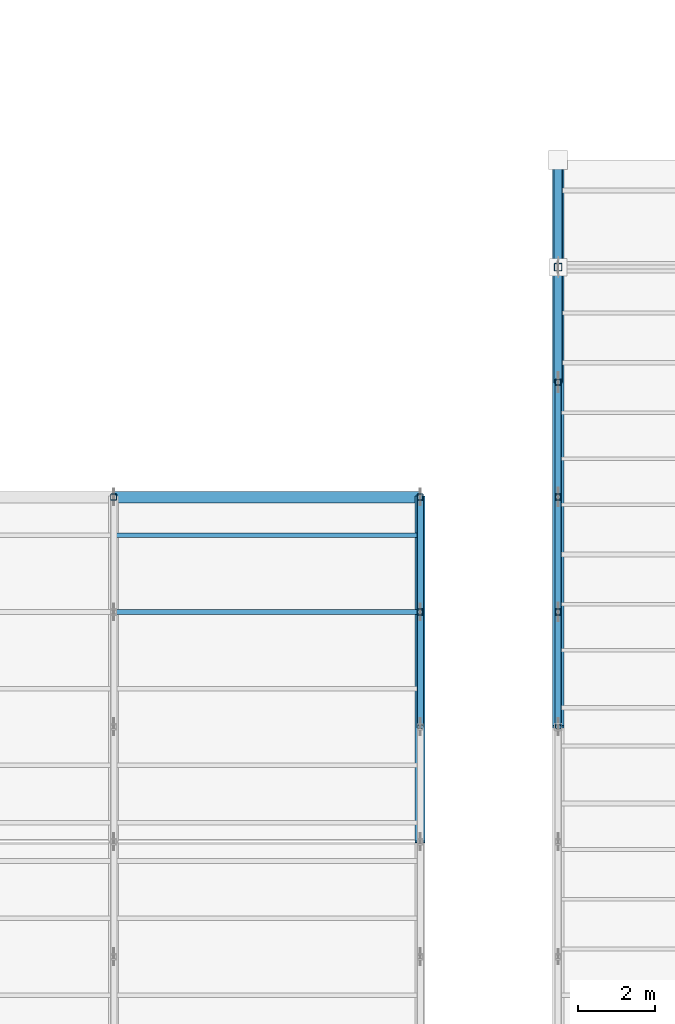
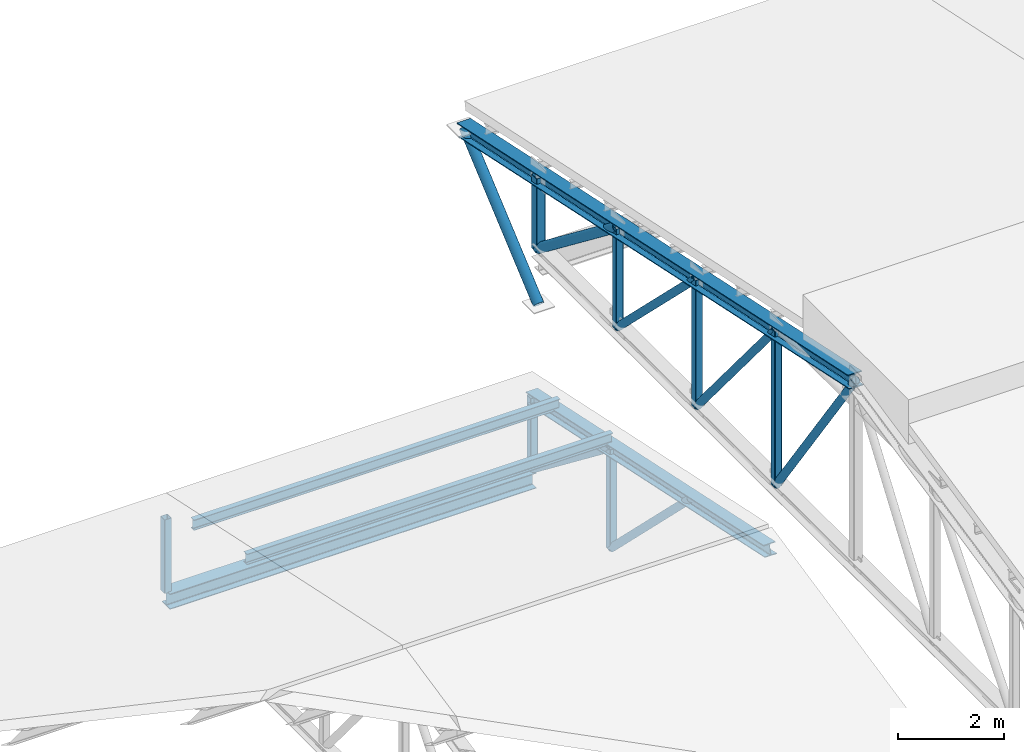
# One storey, part 5 of 43: 18 members, 1 beam.
"""IFC4 building model written with IfcOpenShell, lengths in metres."""

from ifc_helpers import new_model, si_unit, direction, frame, origin, origin_2d, place, context, subcontext, project, spatial, hollow_rectangle, hollow_circle, i_section, extrude, material, material_profile, profile_set, type_object, element, save


model = new_model("IFC4")

# Units and contexts
model_context = context("Model", 3, precision=1e-05, world=origin(), true_north=direction((0.0, 1.0)))
body_context = subcontext(model_context, "Body", "Model", "MODEL_VIEW")
ifc_project = project(units=[si_unit("LENGTHUNIT", "METRE"), si_unit("AREAUNIT", "SQUARE_METRE"), si_unit("VOLUMEUNIT", "CUBIC_METRE"), si_unit("PLANEANGLEUNIT", "RADIAN"), si_unit("MASSUNIT", "GRAM", prefix="KILO")], contexts=[model_context])

# Site, building, storey
site_placement = place(None, origin())
site = spatial("IfcSite", under=ifc_project, at=site_placement, CompositionType="ELEMENT")
building_placement = place(site_placement, origin())
building = spatial("IfcBuilding", under=site, at=building_placement, Name="Serraforn Aerial Cableway Station", CompositionType="ELEMENT")
storey_placement = place(building_placement, frame((0.0, 0.0, 18.300048828125)))
storey = spatial("IfcBuildingStorey", under=building, at=storey_placement, Name="RF", CompositionType="ELEMENT", Elevation=18.300048828125)

# Beam
ifc_material_1 = material(Name="Steel S355JR", Category="steel")
ifc_material_profile_1 = material_profile(ifc_material_1, i_section(OverallWidth=0.300048828125, OverallDepth=0.360107421875, WebThickness=0.010009765625, FlangeThickness=0.017578125, FilletRadius=0.027099609375, at=origin_2d()), Name="HEA 360")
ifc_profile_set_1 = profile_set([ifc_material_profile_1], Name="Steel S355JR")
beam_type = type_object("IfcBeamType", Name="BM-ST-HEA360", PredefinedType="BEAM", material=ifc_profile_set_1)
beam_placement = place(storey_placement, frame((16.0, 36.0, -1.72998046875), z_axis=(1.0, 0.0, 0.0), x_axis=(0.0, 1.0, 0.0)))
element("IfcBeam", 1, at=beam_placement, inside=storey, type_object=beam_type, Name="Belvedere Eave Girder N-3", PredefinedType="BEAM", context=body_context, shape_type="SweptSolid", body=[
    extrude(i_section(OverallWidth=0.300048828125, OverallDepth=0.360107421875, WebThickness=0.010009765625, FlangeThickness=0.017578125, FilletRadius=0.027099609375, at=origin_2d()), origin(), (0.0, 0.0, 1.0), 8.0),
])

# Members
ifc_material_2 = material(Name="Steel S355J2", Category="steel")
ifc_material_profile_2 = material_profile(ifc_material_2, hollow_circle(Radius=0.084228515625, WallThickness=0.008056640625, at=origin_2d()), Name="CHS 168.3x8.0")
ifc_profile_set_2 = profile_set([ifc_material_profile_2], Name="Steel S355J2")
member_type_1 = type_object("IfcMemberType", Name="MEM-DG-CHS168", PredefinedType="BRACE", material=ifc_profile_set_2)
member_1_placement = place(storey_placement, frame((27.60009765625, 30.0, 2.8759765625), z_axis=(0.0, 0.578856146563, -0.815429679118), x_axis=(-1.0, 0.0, 0.0)))
element("IfcMember", 2, at=member_1_placement, inside=storey, type_object=member_type_1, Name="Roof Truss TR-01 Diagonal 5", PredefinedType="BRACE", context=body_context, shape_type="SweptSolid", body=[
    extrude(hollow_circle(Radius=0.084228515625, WallThickness=0.008056640625, at=origin_2d()), origin(), (0.0, 0.0, 1.0), 5.1826171875),
])
member_2_placement = place(storey_placement, frame((27.60009765625, 33.0, 2.23828125), z_axis=(0.0, 0.641405529785, -0.767202024477), x_axis=(-1.0, 0.0, 0.0)))
element("IfcMember", 3, at=member_2_placement, inside=storey, type_object=member_type_1, Name="Roof Truss TR-01 Diagonal 6", PredefinedType="BRACE", context=body_context, shape_type="SweptSolid", body=[
    extrude(hollow_circle(Radius=0.084228515625, WallThickness=0.008056640625, at=origin_2d()), origin(), (0.0, 0.0, 1.0), 4.67724609375),
])
member_3_placement = place(storey_placement, frame((27.60009765625, 36.0, 1.6005859375), z_axis=(0.0, 0.71294245933, -0.701222539344), x_axis=(-1.0, 0.0, 0.0)))
element("IfcMember", 4, at=member_3_placement, inside=storey, type_object=member_type_1, Name="Roof Truss TR-01 Diagonal 7", PredefinedType="BRACE", context=body_context, shape_type="SweptSolid", body=[
    extrude(hollow_circle(Radius=0.084228515625, WallThickness=0.008056640625, at=origin_2d()), origin(), (0.0, 0.0, 1.0), 4.2080078125),
])
member_4_placement = place(storey_placement, frame((24.0, 30.0, 1.404052734375), z_axis=(0.0, 0.712536491097, -0.701635053896), x_axis=(-1.0, 0.0, 0.0)))
element("IfcMember", 5, at=member_4_placement, inside=storey, type_object=member_type_1, Name="Belvedere Truss WT-04 Diagonal 5", PredefinedType="BRACE", context=body_context, shape_type="SweptSolid", body=[
    extrude(hollow_circle(Radius=0.084228515625, WallThickness=0.008056640625, at=origin_2d()), origin(), (0.0, 0.0, 1.0), 4.210205078125),
])
member_5_placement = place(storey_placement, frame((24.0, 33.0, 0.7666015625), z_axis=(0.0, 0.79148044328, -0.611194492699), x_axis=(-1.0, 0.0, 0.0)))
element("IfcMember", 6, at=member_5_placement, inside=storey, type_object=member_type_1, Name="Belvedere Truss WT-04 Diagonal 6", PredefinedType="BRACE", context=body_context, shape_type="SweptSolid", body=[
    extrude(hollow_circle(Radius=0.084228515625, WallThickness=0.008056640625, at=origin_2d()), origin(), (0.0, 0.0, 1.0), 3.790283203125),
])
ifc_material_profile_3 = material_profile(ifc_material_2, hollow_circle(Radius=0.109619140625, WallThickness=0.010009765625, at=origin_2d()), Name="CHS 219.1x10.0")
ifc_profile_set_3 = profile_set([ifc_material_profile_3], Name="Steel S355J2")
member_type_2 = type_object("IfcMemberType", Name="MEM-DG-CHS219", PredefinedType="BRACE", material=ifc_profile_set_3)
member_6_placement = place(storey_placement, frame((27.60009765625, 42.0, -2.650146484375), z_axis=(0.0, 0.760584469832, 0.649238988548), x_axis=(-1.0, 0.0, 0.0)))
element("IfcMember", 7, at=member_6_placement, inside=storey, type_object=member_type_2, Name="Roof Truss TR-01 Eave Knee Strut EN", PredefinedType="BRACE", context=body_context, shape_type="SweptSolid", body=[
    extrude(hollow_circle(Radius=0.109619140625, WallThickness=0.010009765625, at=origin_2d()), origin(), (0.0, 0.0, 1.0), 3.681396484375),
])
member_7_placement = place(storey_placement, frame((27.60009765625, 39.0, 0.962890625), z_axis=(0.0, 0.791947867333, -0.610588712168), x_axis=(-1.0, 0.0, 0.0)))
element("IfcMember", 8, at=member_7_placement, inside=storey, type_object=member_type_2, Name="Roof Truss TR-01 Diagonal 8", PredefinedType="BRACE", context=body_context, shape_type="SweptSolid", body=[
    extrude(hollow_circle(Radius=0.109619140625, WallThickness=0.010009765625, at=origin_2d()), origin(), (0.0, 0.0, 1.0), 3.7880859375),
])
ifc_material_profile_4 = material_profile(ifc_material_1, i_section(OverallWidth=0.1201171875, OverallDepth=0.239990234375, WebThickness=0.006103515625, FlangeThickness=0.009765625, FilletRadius=0.014892578125, at=origin_2d()), Name="IPE 240")
ifc_profile_set_4 = profile_set([ifc_material_profile_4], Name="Steel S355JR")
member_type_3 = type_object("IfcMemberType", Name="MEM-PR-IPE240", PredefinedType="PURLIN", material=ifc_profile_set_4)
for number, where, z_axis, x_axis, name in (
    (9, (16.0, 33.0, 1.010498046875), (1.0, 0.0, 0.0), (0.0, 1.0, 0.0), "Belvedere Roof Purlin 3-9"),
    (10, (16.0, 35.0, 0.58544921875), (1.0, 0.0, 0.0), (0.0, 1.0, 0.0), "Belvedere Roof Purlin 3-10"),
):
    element("IfcMember", number, at=place(storey_placement, frame(where, z_axis=z_axis, x_axis=x_axis)), inside=storey, type_object=member_type_3, Name=name, PredefinedType="PURLIN", context=body_context, shape_type="SweptSolid", body=[
        extrude(i_section(OverallWidth=0.1201171875, OverallDepth=0.239990234375, WebThickness=0.006103515625, FlangeThickness=0.009765625, FilletRadius=0.014892578125, at=origin_2d()), origin(), (0.0, 0.0, 1.0), 8.0),
    ])
ifc_material_profile_5 = material_profile(ifc_material_2, i_section(OverallWidth=0.260009765625, OverallDepth=0.260009765625, WebThickness=0.010009765625, FlangeThickness=0.017578125, FilletRadius=0.02392578125, at=origin_2d()), Name="HEB 260")
ifc_profile_set_5 = profile_set([ifc_material_profile_5], Name="Steel S355J2")
member_type_4 = type_object("IfcMemberType", Name="MEM-TC-HEB260", PredefinedType="CHORD", material=ifc_profile_set_5)
member_8_placement = place(storey_placement, frame((24.0, 27.0, 2.041748046875), z_axis=(0.0, 0.978151297449, -0.207894298381), x_axis=(-1.0, 0.0, 0.0)))
element("IfcMember", 11, at=member_8_placement, inside=storey, type_object=member_type_4, Name="Belvedere Truss WT-04 Top Chord 2", PredefinedType="CHORD", context=body_context, shape_type="SweptSolid", body=[
    extrude(i_section(OverallWidth=0.260009765625, OverallDepth=0.260009765625, WebThickness=0.010009765625, FlangeThickness=0.017578125, FilletRadius=0.02392578125, at=origin_2d()), origin(), (0.0, 0.0, 1.0), 9.200927734375),
])
ifc_material_profile_6 = material_profile(ifc_material_2, i_section(OverallWidth=0.300048828125, OverallDepth=0.300048828125, WebThickness=0.010986328125, FlangeThickness=0.01904296875, FilletRadius=0.027099609375, at=origin_2d()), Name="HEB 300")
ifc_profile_set_6 = profile_set([ifc_material_profile_6], Name="Steel S355J2")
member_type_5 = type_object("IfcMemberType", Name="MEM-TC-HEB300", PredefinedType="CHORD", material=ifc_profile_set_6)
member_9_placement = place(storey_placement, frame((27.60009765625, 30.0, 2.8759765625), z_axis=(0.0, 0.978145603362, -0.207921087493), x_axis=(-1.0, 0.0, 0.0)))
element("IfcMember", 12, at=member_9_placement, inside=storey, type_object=member_type_5, Name="Roof Truss TR-01 Top Chord 2", PredefinedType="CHORD", context=body_context, shape_type="SweptSolid", body=[
    extrude(i_section(OverallWidth=0.300048828125, OverallDepth=0.300048828125, WebThickness=0.010986328125, FlangeThickness=0.01904296875, FilletRadius=0.027099609375, at=origin_2d()), origin(), (0.0, 0.0, 1.0), 15.130615234375),
])
ifc_material_profile_7 = material_profile(ifc_material_2, hollow_rectangle(XDim=0.159912109375, YDim=0.159912109375, WallThickness=0.008056640625, InnerFilletRadius=0.008056640625, OuterFilletRadius=0.01611328125, at=origin_2d()), Name="SHS 160x160x8.0")
ifc_profile_set_7 = profile_set([ifc_material_profile_7], Name="Steel S355J2")
member_type_6 = type_object("IfcMemberType", Name="MEM-VP-SHS160", PredefinedType="STRUT", material=ifc_profile_set_7)
member_10_placement = place(storey_placement, frame((27.60009765625, 33.0, -1.360107421875), z_axis=(0.0, 0.0, 1.0), x_axis=(1.0, 0.0, 0.0)))
element("IfcMember", 13, at=member_10_placement, inside=storey, type_object=member_type_6, Name="Roof Truss TR-01 Vertical Post 6", PredefinedType="STRUT", context=body_context, shape_type="SweptSolid", body=[
    extrude(hollow_rectangle(XDim=0.159912109375, YDim=0.159912109375, WallThickness=0.008056640625, InnerFilletRadius=0.008056640625, OuterFilletRadius=0.01611328125, at=origin_2d()), origin(), (0.0, 0.0, 1.0), 3.6083984375),
])
member_11_placement = place(storey_placement, frame((27.60009765625, 36.0, -1.360107421875), z_axis=(0.0, 0.0, 1.0), x_axis=(1.0, 0.0, 0.0)))
element("IfcMember", 14, at=member_11_placement, inside=storey, type_object=member_type_6, Name="Roof Truss TR-01 Vertical Post 7", PredefinedType="STRUT", context=body_context, shape_type="SweptSolid", body=[
    extrude(hollow_rectangle(XDim=0.159912109375, YDim=0.159912109375, WallThickness=0.008056640625, InnerFilletRadius=0.008056640625, OuterFilletRadius=0.01611328125, at=origin_2d()), origin(), (0.0, 0.0, 1.0), 2.970703125),
])
member_12_placement = place(storey_placement, frame((27.60009765625, 39.0, -1.360107421875), z_axis=(0.0, 0.0, 1.0), x_axis=(1.0, 0.0, 0.0)))
element("IfcMember", 15, at=member_12_placement, inside=storey, type_object=member_type_6, Name="Roof Truss TR-01 Vertical Post 8", PredefinedType="STRUT", context=body_context, shape_type="SweptSolid", body=[
    extrude(hollow_rectangle(XDim=0.159912109375, YDim=0.159912109375, WallThickness=0.008056640625, InnerFilletRadius=0.008056640625, OuterFilletRadius=0.01611328125, at=origin_2d()), origin(), (0.0, 0.0, 1.0), 2.3330078125),
])
member_13_placement = place(storey_placement, frame((16.0, 36.0, -1.56005859375), z_axis=(0.0, 0.0, 1.0), x_axis=(1.0, 0.0, 0.0)))
element("IfcMember", 16, at=member_13_placement, inside=storey, type_object=member_type_6, Name="Belvedere Truss WT-03 Post 7", PredefinedType="STRUT", context=body_context, shape_type="SweptSolid", body=[
    extrude(hollow_rectangle(XDim=0.159912109375, YDim=0.159912109375, WallThickness=0.008056640625, InnerFilletRadius=0.008056640625, OuterFilletRadius=0.01611328125, at=origin_2d()), origin(), (0.0, 0.0, 1.0), 1.698974609375),
])
member_14_placement = place(storey_placement, frame((24.0, 33.0, -1.56005859375), z_axis=(0.0, 0.0, 1.0), x_axis=(1.0, 0.0, 0.0)))
element("IfcMember", 17, at=member_14_placement, inside=storey, type_object=member_type_6, Name="Belvedere Truss WT-04 Post 6", PredefinedType="STRUT", context=body_context, shape_type="SweptSolid", body=[
    extrude(hollow_rectangle(XDim=0.159912109375, YDim=0.159912109375, WallThickness=0.008056640625, InnerFilletRadius=0.008056640625, OuterFilletRadius=0.01611328125, at=origin_2d()), origin(), (0.0, 0.0, 1.0), 2.336669921875),
])
member_15_placement = place(storey_placement, frame((24.0, 36.0, -1.56005859375), z_axis=(0.0, 0.0, 1.0), x_axis=(1.0, 0.0, 0.0)))
element("IfcMember", 18, at=member_15_placement, inside=storey, type_object=member_type_6, Name="Belvedere Truss WT-04 Post 7", PredefinedType="STRUT", context=body_context, shape_type="SweptSolid", body=[
    extrude(hollow_rectangle(XDim=0.159912109375, YDim=0.159912109375, WallThickness=0.008056640625, InnerFilletRadius=0.008056640625, OuterFilletRadius=0.01611328125, at=origin_2d()), origin(), (0.0, 0.0, 1.0), 1.698974609375),
])
ifc_material_profile_8 = material_profile(ifc_material_2, hollow_rectangle(XDim=0.199951171875, YDim=0.199951171875, WallThickness=0.010009765625, InnerFilletRadius=0.010009765625, OuterFilletRadius=0.02001953125, at=origin_2d()), Name="SHS 200x200x10.0")
ifc_profile_set_8 = profile_set([ifc_material_profile_8], Name="Steel S355J2")
member_type_7 = type_object("IfcMemberType", Name="MEM-VP-SHS200", PredefinedType="STRUT", material=ifc_profile_set_8)
member_16_placement = place(storey_placement, frame((27.60009765625, 42.0, -1.360107421875), z_axis=(0.0, 0.0, 1.0), x_axis=(1.0, 0.0, 0.0)))
element("IfcMember", 19, at=member_16_placement, inside=storey, type_object=member_type_7, Name="Roof Truss TR-01 Vertical Post 9", PredefinedType="STRUT", context=body_context, shape_type="SweptSolid", body=[
    extrude(hollow_rectangle(XDim=0.199951171875, YDim=0.199951171875, WallThickness=0.010009765625, InnerFilletRadius=0.010009765625, OuterFilletRadius=0.02001953125, at=origin_2d()), origin(), (0.0, 0.0, 1.0), 1.6953125),
])

save(model, "model.ifc")
